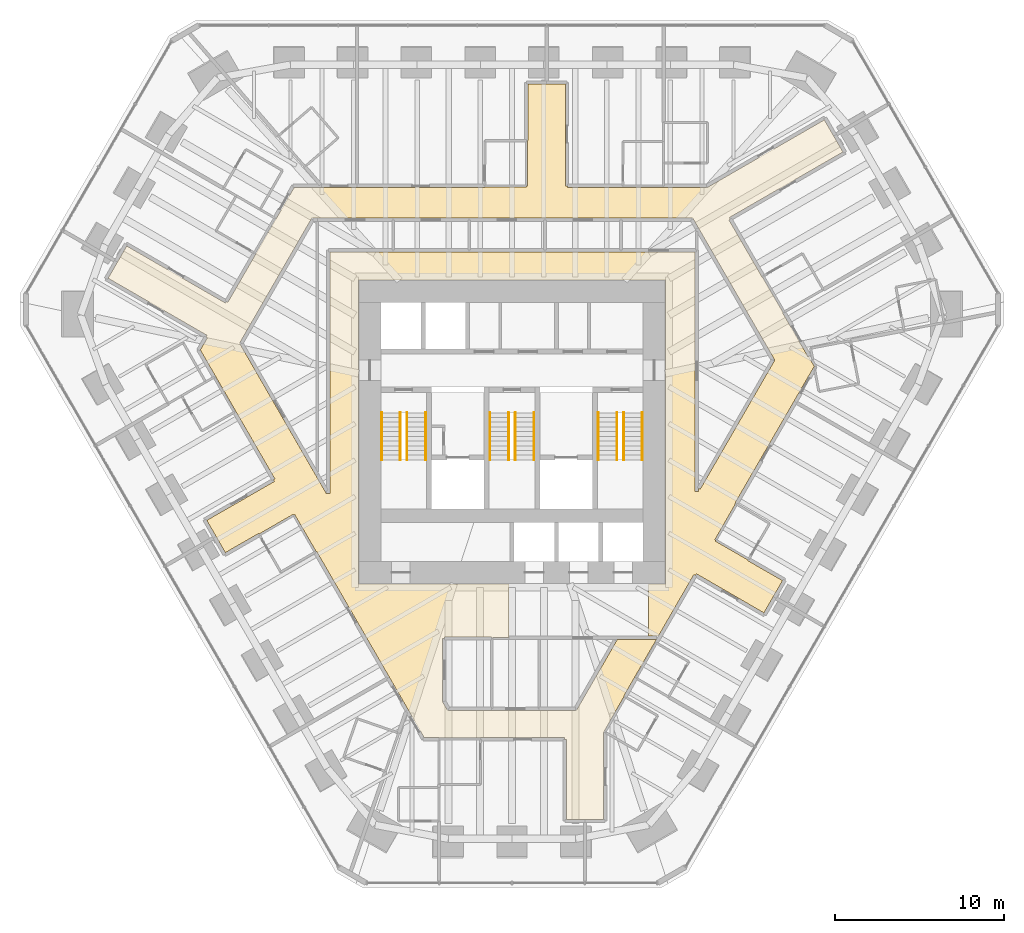
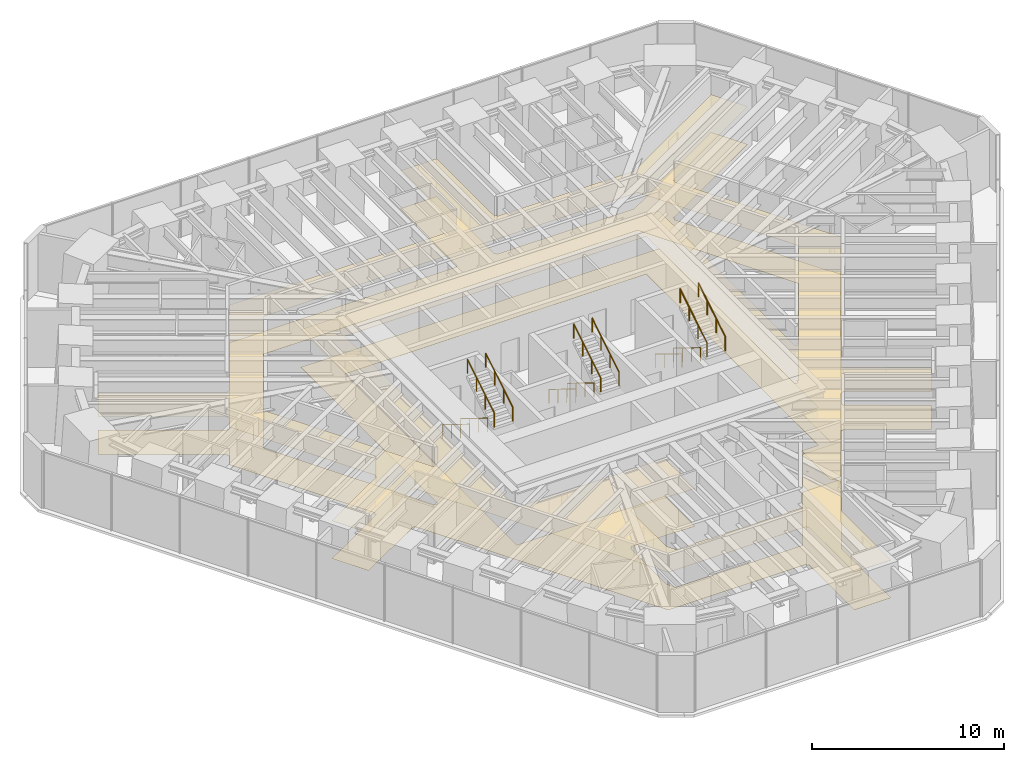
# One storey, part 17 of 17: 12 railings, 2 coverings.
"""IFC4 building model written with IfcOpenShell, lengths in metres."""

from ifc_helpers import new_model, si_unit, direction, frame, origin, origin_2d, place, context, subcontext, project, spatial, polyline, circle, outline, extrude, material, layer, layer_set, type_object, element, save


model = new_model("IFC4")

# Units and contexts
model_context = context("Model", 3, precision=1e-05, world=origin(), true_north=direction((0.0, 1.0)))
body_context = subcontext(model_context, "Body", "Model", "MODEL_VIEW")
ifc_project = project(units=[si_unit("LENGTHUNIT", "METRE"), si_unit("AREAUNIT", "SQUARE_METRE"), si_unit("VOLUMEUNIT", "CUBIC_METRE"), si_unit("PLANEANGLEUNIT", "RADIAN"), si_unit("MASSUNIT", "GRAM", prefix="KILO")], contexts=[model_context])

# Site, building, storey
site_placement = place(None, origin())
site = spatial("IfcSite", under=ifc_project, at=site_placement, CompositionType="ELEMENT")
building_placement = place(site_placement, origin())
building = spatial("IfcBuilding", under=site, at=building_placement, Name="Sandreach Pilgrim Tower", CompositionType="ELEMENT")
storey_placement = place(building_placement, frame((0.0, 0.0, 169.0)))
storey = spatial("IfcBuildingStorey", under=building, at=storey_placement, Name="L42", CompositionType="ELEMENT", Elevation=169.0)

# Coverings
ifc_material_1 = material(Name="Nylon carpet tile on the slab", Category="textile")
ifc_layer_1 = layer(ifc_material_1, 0.008056640625)
ifc_layer_set_1 = layer_set([ifc_layer_1], Name="Carpet tile")
covering_type_1 = type_object("IfcCoveringType", Name="Carpet tile", PredefinedType="FLOORING", material=ifc_layer_set_1)
covering_1_placement = place(storey_placement, origin())
element("IfcCovering", 1, at=covering_1_placement, inside=storey, type_object=covering_type_1, Name="Floor finish 42C Corridor 42", PredefinedType="FLOORING", context=body_context, shape_type="SweptSolid", body=[
    extrude(outline(polyline([(-18.030029296875, 4.16650390625), (-23.863525390625, 7.53662109375), (-22.763427734375, 9.443359375), (-16.929931640625, 6.073486328125), (-16.869873046875, 6.165771484375), (-16.788330078125, 6.11865234375), (-12.872314453125, 12.889892578125), (-1.60009765625, 12.889892578125), (-1.60009765625, 12.9228515625), (0.85009765625, 12.929931640625), (0.85107421875, 12.989990234375), (0.909912109375, 12.989990234375), (0.909912109375, 15.659912109375), (0.949951171875, 15.659912109375), (0.949951171875, 19.0), (3.14990234375, 19.0), (3.14990234375, 12.989990234375), (3.264892578125, 12.989990234375), (3.264892578125, 12.889892578125), (11.516845703125, 12.889892578125), (18.453369140625, 16.893310546875), (19.552978515625, 14.996337890625), (12.85009765625, 11.126708984375), (12.905029296875, 11.03125), (12.818359375, 10.9814453125), (16.013916015625, 5.501708984375), (15.991455078125, 5.48876953125), (17.486328125, 2.90478515625), (17.517822265625, 2.9228515625), (17.8603515625, 2.33544921875), (13.17333984375, -5.760009765625), (13.208740234375, -5.7802734375), (11.988037109375, -7.909912109375), (12.039306640625, -7.94091796875), (12.010009765625, -7.991943359375), (13.958740234375, -9.114501953125), (13.938720703125, -9.149169921875), (15.9833984375, -10.32666015625), (14.88330078125, -12.2333984375), (10.89013671875, -9.92333984375), (10.83251953125, -10.02294921875), (10.745849609375, -9.972900390625), (8.6513671875, -13.60009765625), (8.050048828125, -13.60009765625), (8.050048828125, -10.52001953125), (9.070068359375, -10.52001953125), (9.070068359375, 7.419921875), (-9.070068359375, 7.419921875), (-9.070068359375, -10.52001953125), (-0.175048828125, -10.52001953125), (-0.175048828125, -13.68994140625), (-1.199951171875, -13.67919921875), (-1.199951171875, -13.64990234375), (-3.989990234375, -13.64990234375), (-3.989990234375, -13.75), (-4.10009765625, -13.75), (-4.10009765625, -17.487060546875), (-3.8076171875, -17.989990234375), (3.8076171875, -17.989990234375), (6.2265625, -13.800048828125), (8.535888671875, -13.800048828125), (6.603271484375, -17.150146484375), (6.622314453125, -17.160888671875), (5.409912109375, -19.2900390625), (5.409912109375, -24.429931640625), (3.2099609375, -24.429931640625), (3.2099609375, -19.699951171875), (3.110107421875, -19.699951171875), (3.110107421875, -19.590087890625), (-5.192138671875, -19.590087890625), (-11.54345703125, -8.599853515625), (-11.56884765625, -8.61474609375), (-12.837890625, -6.43017578125), (-12.890625, -6.458984375), (-12.919921875, -6.407958984375), (-14.949951171875, -7.577880859375), (-14.969482421875, -7.5439453125), (-16.933349609375, -8.673583984375), (-18.033447265625, -6.7666015625), (-14.0400390625, -4.466552734375), (-14.097412109375, -4.366943359375), (-14.010986328125, -4.31689453125), (-18.41455078125, 3.300048828125), (-18.0009765625, 4.01708984375), (-18.083251953125, 4.064453125), (-18.030029296875, 4.16650390625)]), holes=[polyline([(-16.095458984375, 3.699951171875), (-10.965576171875, -5.18994140625), (-10.85009765625, -5.19482421875), (-10.75, -5.18994140625), (-10.75, 9.10009765625), (10.820068359375, 9.10009765625), (10.820068359375, -5.070068359375), (11.02001953125, -5.070068359375), (11.02001953125, -4.873779296875), (11.11669921875, -4.929443359375), (15.525390625, 2.699951171875), (10.677734375, 11.090087890625), (-11.82763671875, 11.090087890625), (-16.095458984375, 3.699951171875)])]), origin(), (0.0, 0.0, 1.0), 0.008056640625),
])
ifc_material_2 = material(Name="Gypsum board suspended ceiling on a steel grid", Category="steel")
ifc_layer_2 = layer(ifc_material_2, 0.012939453125)
ifc_layer_set_2 = layer_set([ifc_layer_2], Name="Gypsum board suspended ceiling")
covering_type_2 = type_object("IfcCoveringType", Name="Gypsum board suspended ceiling", PredefinedType="CEILING", material=ifc_layer_set_2)
covering_2_placement = place(storey_placement, frame((0.0, 0.0, 2.39990234375)))
element("IfcCovering", 2, at=covering_2_placement, inside=storey, type_object=covering_type_2, Name="Ceiling 42C Corridor 42", PredefinedType="CEILING", context=body_context, shape_type="SweptSolid", body=[
    extrude(outline(polyline([(-18.030029296875, 4.16650390625), (-23.863525390625, 7.53662109375), (-22.763427734375, 9.443359375), (-16.929931640625, 6.073486328125), (-16.869873046875, 6.165771484375), (-16.788330078125, 6.11865234375), (-12.872314453125, 12.889892578125), (-1.60009765625, 12.889892578125), (-1.60009765625, 12.9228515625), (0.85009765625, 12.929931640625), (0.85107421875, 12.989990234375), (0.909912109375, 12.989990234375), (0.909912109375, 15.659912109375), (0.949951171875, 15.659912109375), (0.949951171875, 19.0), (3.14990234375, 19.0), (3.14990234375, 12.989990234375), (3.264892578125, 12.989990234375), (3.264892578125, 12.889892578125), (11.516845703125, 12.889892578125), (18.453369140625, 16.893310546875), (19.552978515625, 14.996337890625), (12.85009765625, 11.126708984375), (12.905029296875, 11.03125), (12.818359375, 10.9814453125), (16.013916015625, 5.501708984375), (15.991455078125, 5.48876953125), (17.486328125, 2.90478515625), (17.517822265625, 2.9228515625), (17.8603515625, 2.33544921875), (13.17333984375, -5.760009765625), (13.208740234375, -5.7802734375), (11.988037109375, -7.909912109375), (12.039306640625, -7.94091796875), (12.010009765625, -7.991943359375), (13.958740234375, -9.114501953125), (13.938720703125, -9.149169921875), (15.9833984375, -10.32666015625), (14.88330078125, -12.2333984375), (10.89013671875, -9.92333984375), (10.83251953125, -10.02294921875), (10.745849609375, -9.972900390625), (8.6513671875, -13.60009765625), (8.050048828125, -13.60009765625), (8.050048828125, -10.52001953125), (9.070068359375, -10.52001953125), (9.070068359375, 7.419921875), (-9.070068359375, 7.419921875), (-9.070068359375, -10.52001953125), (-0.175048828125, -10.52001953125), (-0.175048828125, -13.68994140625), (-1.199951171875, -13.67919921875), (-1.199951171875, -13.64990234375), (-3.989990234375, -13.64990234375), (-3.989990234375, -13.75), (-4.10009765625, -13.75), (-4.10009765625, -17.487060546875), (-3.8076171875, -17.989990234375), (3.8076171875, -17.989990234375), (6.2265625, -13.800048828125), (8.535888671875, -13.800048828125), (6.603271484375, -17.150146484375), (6.622314453125, -17.160888671875), (5.409912109375, -19.2900390625), (5.409912109375, -24.429931640625), (3.2099609375, -24.429931640625), (3.2099609375, -19.699951171875), (3.110107421875, -19.699951171875), (3.110107421875, -19.590087890625), (-5.192138671875, -19.590087890625), (-11.54345703125, -8.599853515625), (-11.56884765625, -8.61474609375), (-12.837890625, -6.43017578125), (-12.890625, -6.458984375), (-12.919921875, -6.407958984375), (-14.949951171875, -7.577880859375), (-14.969482421875, -7.5439453125), (-16.933349609375, -8.673583984375), (-18.033447265625, -6.7666015625), (-14.0400390625, -4.466552734375), (-14.097412109375, -4.366943359375), (-14.010986328125, -4.31689453125), (-18.41455078125, 3.300048828125), (-18.0009765625, 4.01708984375), (-18.083251953125, 4.064453125), (-18.030029296875, 4.16650390625)]), holes=[polyline([(-16.095458984375, 3.699951171875), (-10.965576171875, -5.18994140625), (-10.85009765625, -5.19482421875), (-10.75, -5.18994140625), (-10.75, 9.10009765625), (10.820068359375, 9.10009765625), (10.820068359375, -5.070068359375), (11.02001953125, -5.070068359375), (11.02001953125, -4.873779296875), (11.11669921875, -4.929443359375), (15.525390625, 2.699951171875), (10.677734375, 11.090087890625), (-11.82763671875, 11.090087890625), (-16.095458984375, 3.699951171875)])]), origin(), (0.0, 0.0, 1.0), 0.01318359375),
])

# Railings
ifc_material_3 = material(Name="Stainless steel tube", Category="steel")
railing_type = type_object("IfcRailingType", Name="Stair handrail", PredefinedType="HANDRAIL", material=ifc_material_3)
for number, where, name in (
    (3, (-6.60009765625, -0.39990234375, 0.172607421875), "Handrail ST1 L42 flight 1"),
    (4, (-7.699951171875, -0.39990234375, 0.172607421875), "Handrail ST1 L42 flight 1"),
):
    element("IfcRailing", number, at=place(storey_placement, frame(where)), inside=storey, type_object=railing_type, Name=name, PredefinedType="HANDRAIL", context=body_context, shape_type="SweptSolid", body=[
        extrude(circle(Radius=0.02392578125, at=origin_2d()), frame((0.0, 0.0, 0.8759765625), z_axis=(0.0, -0.851089632645, 0.525020415988), x_axis=(1.0, 0.0, 0.0)), (0.0, 0.0, 1.0), 3.2900390625),
        extrude(circle(Radius=0.02099609375, at=origin_2d()), origin(), (0.0, 0.0, 1.0), 0.851806640625),
        extrude(circle(Radius=0.02099609375, at=origin_2d()), frame((0.0, -0.933349609375, 0.57568359375)), (0.0, 0.0, 1.0), 0.851806640625),
        extrude(circle(Radius=0.02099609375, at=origin_2d()), frame((0.0, -1.86669921875, 1.151611328125)), (0.0, 0.0, 1.0), 0.851806640625),
        extrude(circle(Radius=0.02099609375, at=origin_2d()), frame((0.0, -2.800048828125, 1.727294921875)), (0.0, 0.0, 1.0), 0.851806640625),
    ])
for number, where, name in (
    (5, (-6.199951171875, -3.199951171875, 2.07275390625), "Handrail ST1 L42 flight 2"),
    (6, (-5.10009765625, -3.199951171875, 2.07275390625), "Handrail ST1 L42 flight 2"),
):
    element("IfcRailing", number, at=place(storey_placement, frame(where)), inside=storey, type_object=railing_type, Name=name, PredefinedType="HANDRAIL", context=body_context, shape_type="SweptSolid", body=[
        extrude(circle(Radius=0.02392578125, at=origin_2d()), frame((0.0, 0.0, 0.8759765625), z_axis=(0.0, 0.851089632645, 0.525020415988), x_axis=(-1.0, 0.0, 0.0)), (0.0, 0.0, 1.0), 3.2900390625),
        extrude(circle(Radius=0.02099609375, at=origin_2d()), origin(), (0.0, 0.0, 1.0), 0.851806640625),
        extrude(circle(Radius=0.02099609375, at=origin_2d()), frame((0.0, 0.933349609375, 0.57568359375)), (0.0, 0.0, 1.0), 0.851806640625),
        extrude(circle(Radius=0.02099609375, at=origin_2d()), frame((0.0, 1.86669921875, 1.151611328125)), (0.0, 0.0, 1.0), 0.851806640625),
        extrude(circle(Radius=0.02099609375, at=origin_2d()), frame((0.0, 2.800048828125, 1.727294921875)), (0.0, 0.0, 1.0), 0.851806640625),
    ])
for number, where, name in (
    (7, (-0.199951171875, -0.39990234375, 0.172607421875), "Handrail ST3 L42 flight 1"),
    (8, (-1.300048828125, -0.39990234375, 0.172607421875), "Handrail ST3 L42 flight 1"),
):
    element("IfcRailing", number, at=place(storey_placement, frame(where)), inside=storey, type_object=railing_type, Name=name, PredefinedType="HANDRAIL", context=body_context, shape_type="SweptSolid", body=[
        extrude(circle(Radius=0.02392578125, at=origin_2d()), frame((0.0, 0.0, 0.8759765625), z_axis=(0.0, -0.851089632645, 0.525020415988), x_axis=(1.0, 0.0, 0.0)), (0.0, 0.0, 1.0), 3.2900390625),
        extrude(circle(Radius=0.02099609375, at=origin_2d()), origin(), (0.0, 0.0, 1.0), 0.851806640625),
        extrude(circle(Radius=0.02099609375, at=origin_2d()), frame((0.0, -0.933349609375, 0.57568359375)), (0.0, 0.0, 1.0), 0.851806640625),
        extrude(circle(Radius=0.02099609375, at=origin_2d()), frame((0.0, -1.86669921875, 1.151611328125)), (0.0, 0.0, 1.0), 0.851806640625),
        extrude(circle(Radius=0.02099609375, at=origin_2d()), frame((0.0, -2.800048828125, 1.727294921875)), (0.0, 0.0, 1.0), 0.851806640625),
    ])
for number, where, name in (
    (9, (0.199951171875, -3.199951171875, 2.07275390625), "Handrail ST3 L42 flight 2"),
    (10, (1.300048828125, -3.199951171875, 2.07275390625), "Handrail ST3 L42 flight 2"),
):
    element("IfcRailing", number, at=place(storey_placement, frame(where)), inside=storey, type_object=railing_type, Name=name, PredefinedType="HANDRAIL", context=body_context, shape_type="SweptSolid", body=[
        extrude(circle(Radius=0.02392578125, at=origin_2d()), frame((0.0, 0.0, 0.8759765625), z_axis=(0.0, 0.851089632645, 0.525020415988), x_axis=(-1.0, 0.0, 0.0)), (0.0, 0.0, 1.0), 3.2900390625),
        extrude(circle(Radius=0.02099609375, at=origin_2d()), origin(), (0.0, 0.0, 1.0), 0.851806640625),
        extrude(circle(Radius=0.02099609375, at=origin_2d()), frame((0.0, 0.933349609375, 0.57568359375)), (0.0, 0.0, 1.0), 0.851806640625),
        extrude(circle(Radius=0.02099609375, at=origin_2d()), frame((0.0, 1.86669921875, 1.151611328125)), (0.0, 0.0, 1.0), 0.851806640625),
        extrude(circle(Radius=0.02099609375, at=origin_2d()), frame((0.0, 2.800048828125, 1.727294921875)), (0.0, 0.0, 1.0), 0.851806640625),
    ])
for number, where, name in (
    (11, (6.199951171875, -0.39990234375, 0.172607421875), "Handrail ST2 L42 flight 1"),
    (12, (5.10009765625, -0.39990234375, 0.172607421875), "Handrail ST2 L42 flight 1"),
):
    element("IfcRailing", number, at=place(storey_placement, frame(where)), inside=storey, type_object=railing_type, Name=name, PredefinedType="HANDRAIL", context=body_context, shape_type="SweptSolid", body=[
        extrude(circle(Radius=0.02392578125, at=origin_2d()), frame((0.0, 0.0, 0.8759765625), z_axis=(0.0, -0.851089632645, 0.525020415988), x_axis=(1.0, 0.0, 0.0)), (0.0, 0.0, 1.0), 3.2900390625),
        extrude(circle(Radius=0.02099609375, at=origin_2d()), origin(), (0.0, 0.0, 1.0), 0.851806640625),
        extrude(circle(Radius=0.02099609375, at=origin_2d()), frame((0.0, -0.933349609375, 0.57568359375)), (0.0, 0.0, 1.0), 0.851806640625),
        extrude(circle(Radius=0.02099609375, at=origin_2d()), frame((0.0, -1.86669921875, 1.151611328125)), (0.0, 0.0, 1.0), 0.851806640625),
        extrude(circle(Radius=0.02099609375, at=origin_2d()), frame((0.0, -2.800048828125, 1.727294921875)), (0.0, 0.0, 1.0), 0.851806640625),
    ])
for number, where, name in (
    (13, (6.60009765625, -3.199951171875, 2.07275390625), "Handrail ST2 L42 flight 2"),
    (14, (7.699951171875, -3.199951171875, 2.07275390625), "Handrail ST2 L42 flight 2"),
):
    element("IfcRailing", number, at=place(storey_placement, frame(where)), inside=storey, type_object=railing_type, Name=name, PredefinedType="HANDRAIL", context=body_context, shape_type="SweptSolid", body=[
        extrude(circle(Radius=0.02392578125, at=origin_2d()), frame((0.0, 0.0, 0.8759765625), z_axis=(0.0, 0.851089632645, 0.525020415988), x_axis=(-1.0, 0.0, 0.0)), (0.0, 0.0, 1.0), 3.2900390625),
        extrude(circle(Radius=0.02099609375, at=origin_2d()), origin(), (0.0, 0.0, 1.0), 0.851806640625),
        extrude(circle(Radius=0.02099609375, at=origin_2d()), frame((0.0, 0.933349609375, 0.57568359375)), (0.0, 0.0, 1.0), 0.851806640625),
        extrude(circle(Radius=0.02099609375, at=origin_2d()), frame((0.0, 1.86669921875, 1.151611328125)), (0.0, 0.0, 1.0), 0.851806640625),
        extrude(circle(Radius=0.02099609375, at=origin_2d()), frame((0.0, 2.800048828125, 1.727294921875)), (0.0, 0.0, 1.0), 0.851806640625),
    ])

save(model, "model.ifc")
